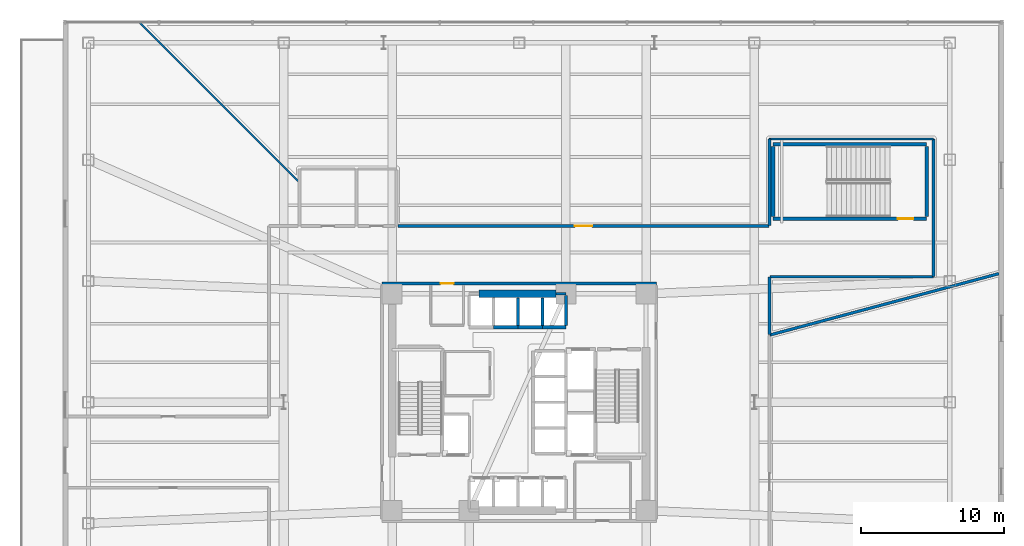
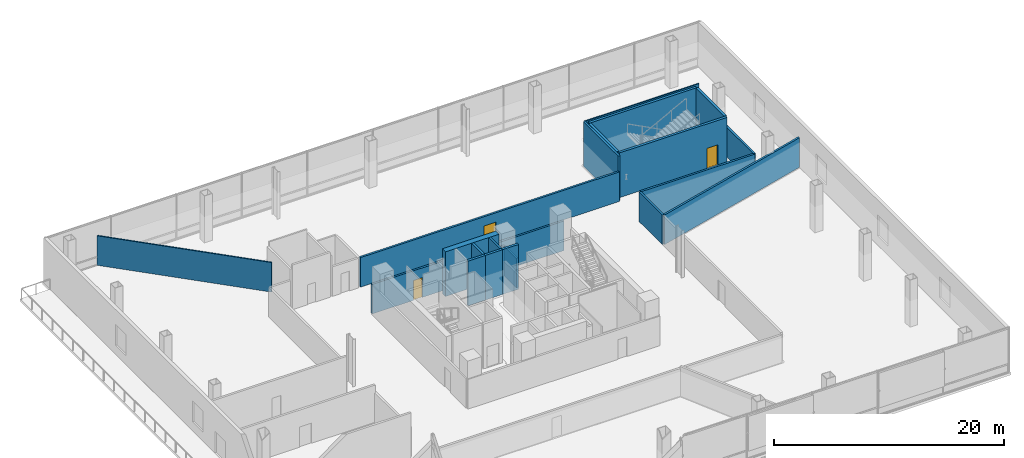
# One storey, part 12 of 20: 21 walls, 3 doors, 3 openings.
"""IFC4 building model written with IfcOpenShell, lengths in metres."""

import ifcopenshell
import ifcopenshell.guid

model = None  # the IFC model being written
_history = None  # IfcOwnerHistory: only IFC2X3 demands one
_inside = {}  # id of a spatial element -> (the spatial element, [elements in it])
_under = {}  # id of a project, library or spatial element -> (it, [spatial elements below it])
_declared = {}  # id of a project -> (the project, [libraries it declares])
_typed = {}  # id of a type object -> (the type object, [elements of that type])
_made_of = {}  # id of a material, layer set ... -> (it, [elements and type objects made of it])


def new_model(schema):
    """Start an empty IFC model of exactly this schema.

    Asked for "IFC4X3", IfcOpenShell would pick the latest addendum, in which some entities
    have other attributes; the version numbers below select the first issue.
    IFC2X3 requires an IfcOwnerHistory on every rooted entity: one is made here for all.
    """
    global model, _history
    if schema == "IFC4X3":
        model = ifcopenshell.file(schema_version=(4, 3, 0, 0))
    else:
        model = ifcopenshell.file(schema=schema)
    _inside.clear()
    _under.clear()
    _declared.clear()
    _typed.clear()
    _made_of.clear()
    _history = None
    if model.schema == "IFC2X3":
        org = make("IfcOrganization", Name="unknown")
        user = make(
            "IfcPersonAndOrganization",
            ThePerson=make("IfcPerson", FamilyName="unknown"),
            TheOrganization=org,
        )
        app = make(
            "IfcApplication",
            ApplicationDeveloper=org,
            Version="unknown",
            ApplicationFullName="unknown",
            ApplicationIdentifier="unknown",
        )
        _history = make(
            "IfcOwnerHistory",
            OwningUser=user,
            OwningApplication=app,
            ChangeAction="ADDED",
            CreationDate=0,
        )
    return model


def make(cls, **values):
    """One entity of the class cls with the attributes given. An attribute that is None is left unset."""
    return model.create_entity(
        cls, **{name: value for name, value in values.items() if value is not None}
    )


def rooted(cls, **values):
    """An entity with a GlobalId (a new one), such as an element, a storey or a relation."""
    return make(cls, GlobalId=ifcopenshell.guid.new(), OwnerHistory=_history, **values)


def si_unit(unit_type, name, prefix=None):
    """IfcSIUnit, for example si_unit("LENGTHUNIT", "METRE", prefix="MILLI")."""
    return make("IfcSIUnit", UnitType=unit_type, Prefix=prefix, Name=name)


def assignment(units):
    """IfcUnitAssignment: the units of a project."""
    return None if units is None else make("IfcUnitAssignment", Units=units)


def point(xyz):
    """IfcCartesianPoint."""
    return None if xyz is None else make("IfcCartesianPoint", Coordinates=xyz)


def direction(xyz):
    """IfcDirection."""
    return None if xyz is None else make("IfcDirection", DirectionRatios=xyz)


def frame(location, z_axis=None, x_axis=None):
    """IfcAxis2Placement3D, a coordinate frame: its origin and axes. An axis left out is left unset."""
    return make(
        "IfcAxis2Placement3D",
        Location=point(location),
        Axis=direction(z_axis),
        RefDirection=direction(x_axis),
    )


def frame_2d(location, x_axis=None):
    """IfcAxis2Placement2D, a coordinate frame in the plane: its origin and x axis."""
    return make(
        "IfcAxis2Placement2D", Location=point(location), RefDirection=direction(x_axis)
    )


def origin():
    """The frame at (0, 0, 0) with its axes left unset."""
    return frame((0.0, 0.0, 0.0))


def place(relative_to, where):
    """IfcLocalPlacement: puts the frame where relative to a parent placement (None: the world)."""
    return make(
        "IfcLocalPlacement", PlacementRelTo=relative_to, RelativePlacement=where
    )


def context(
    kind, dimensions, precision=None, world=None, true_north=None, identifier=None
):
    """IfcGeometricRepresentationContext, for example the 3D "Model" context."""
    return make(
        "IfcGeometricRepresentationContext",
        ContextIdentifier=identifier,
        ContextType=kind,
        CoordinateSpaceDimension=dimensions,
        Precision=precision,
        WorldCoordinateSystem=world,
        TrueNorth=true_north,
    )


def subcontext(parent, identifier, kind, view, scale=None):
    """IfcGeometricRepresentationSubContext, for example "Body" below "Model"."""
    return make(
        "IfcGeometricRepresentationSubContext",
        ContextIdentifier=identifier,
        ContextType=kind,
        ParentContext=parent,
        TargetScale=scale,
        TargetView=view,
    )


def project(units=None, contexts=None):
    """IfcProject with its units and contexts."""
    return rooted(
        "IfcProject",
        Name="project",
        RepresentationContexts=contexts,
        UnitsInContext=assignment(units),
    )


def spatial(cls, under=None, at=None, **own):
    """A site, building, storey or space (cls), placed at a placement, below another one or the project."""
    s = rooted(cls, ObjectPlacement=at, **own)
    if under is not None:
        _under.setdefault(under.id(), (under, []))[1].append(s)
    return s


def profile(cls, at=None, kind="AREA", **sizes):
    """A parametric profile (cls). Its sizes go by their IFC names, for example OverallWidth=200.0."""
    return make(cls, ProfileType=kind, Position=at, **sizes)


def rectangle(**sizes):
    """IfcRectangleProfileDef."""
    return profile("IfcRectangleProfileDef", **sizes)


def extrude(swept, where, along, depth):
    """IfcExtrudedAreaSolid: the profile swept, set in the frame where, extruded along a direction by depth."""
    return make(
        "IfcExtrudedAreaSolid",
        SweptArea=swept,
        Position=where,
        ExtrudedDirection=direction(along),
        Depth=depth,
    )


def shape(context_of_items, identifier, shape_type, items):
    """IfcShapeRepresentation: the items that make up one representation, for example the "Body"."""
    return make(
        "IfcShapeRepresentation",
        ContextOfItems=context_of_items,
        RepresentationIdentifier=identifier,
        RepresentationType=shape_type,
        Items=items,
    )


def material(Name=None, Category=None):
    """IfcMaterial."""
    return make("IfcMaterial", Name=Name, Category=Category)


def layer(
    of_material, thickness, ventilated=None, Name=None, Category=None, Priority=None
):
    """IfcMaterialLayer: one layer of a wall or slab, of a material (None: an air gap)."""
    return make(
        "IfcMaterialLayer",
        Material=of_material,
        LayerThickness=thickness,
        IsVentilated=ventilated,
        Name=Name,
        Category=Category,
        Priority=Priority,
    )


def layer_set(layers, Name=None):
    """IfcMaterialLayerSet."""
    return make("IfcMaterialLayerSet", MaterialLayers=layers, LayerSetName=Name)


def made_of(thing, what):
    """Note that an element or type object is made of a material, layer set ...; save() writes the relation."""
    if what is not None:
        _made_of.setdefault(what.id(), (what, []))[1].append(thing)
    return thing


def type_object(cls, material=None, **own):
    """A type object (cls), such as IfcWallType, which elements share."""
    return made_of(rooted(cls, **own), material)


def element(
    cls,
    number,
    at=None,
    inside=None,
    cuts=None,
    type_object=None,
    material=None,
    context=None,
    identifier="Body",
    shape_type=None,
    held_by="IfcProductDefinitionShape",
    body=None,
    shapes=None,
    **own,
):
    """One element of the class cls, such as IfcWall. Its Tag is "e" and its number.

    at: its placement. inside: the storey or other place that contains it. cuts: it is an
    opening in that element (IfcRelVoidsElement). A single representation is given by context,
    identifier, shape_type and body (its items); several are given by shapes. held_by: the class
    of the entity that holds the representations. save() writes the other relations.
    """
    e = rooted(cls, Tag="e%d" % number, ObjectPlacement=at, **own)
    if body is not None:
        shapes = [shape(context, identifier, shape_type, body)]
    if shapes is not None:
        e.Representation = make(held_by, Representations=shapes)
    if inside is not None:
        _inside.setdefault(inside.id(), (inside, []))[1].append(e)
    if cuts is not None:
        rooted(
            "IfcRelVoidsElement", RelatingBuildingElement=cuts, RelatedOpeningElement=e
        )
    if type_object is not None:
        _typed.setdefault(type_object.id(), (type_object, []))[1].append(e)
    return made_of(e, material)


def fill(opening, filler):
    """IfcRelFillsElement: the door or window that sits in an opening."""
    return rooted(
        "IfcRelFillsElement",
        RelatingOpeningElement=opening,
        RelatedBuildingElement=filler,
    )


def aggregate(whole, parts):
    """IfcRelAggregates: a whole, such as a stair, and the parts it consists of."""
    return rooted("IfcRelAggregates", RelatingObject=whole, RelatedObjects=parts)


def save(model, path):
    """Write the relations noted so far, then the file.

    IfcRelAggregates (storeys below a building ...), IfcRelContainedInSpatialStructure (elements
    in a storey), IfcRelDefinesByType, IfcRelAssociatesMaterial and IfcRelDeclares: one each for
    every whole, place, type object, material and project.
    """
    for whole, parts in _under.values():
        aggregate(whole, parts)
    for where, things in _inside.values():
        rooted(
            "IfcRelContainedInSpatialStructure",
            RelatedElements=things,
            RelatingStructure=where,
        )
    for kind, things in _typed.values():
        rooted("IfcRelDefinesByType", RelatedObjects=things, RelatingType=kind)
    for what, things in _made_of.values():
        rooted("IfcRelAssociatesMaterial", RelatedObjects=things, RelatingMaterial=what)
    for by, libraries in _declared.values():
        rooted("IfcRelDeclares", RelatingContext=by, RelatedDefinitions=libraries)
    model.write(path)


model = new_model("IFC4")

# Units and contexts
model_context = context("Model", 3, precision=1e-05, world=origin(), true_north=direction((0.0, 1.0)))
body_context = subcontext(model_context, "Body", "Model", "MODEL_VIEW")
ifc_project = project(units=[si_unit("LENGTHUNIT", "METRE"), si_unit("AREAUNIT", "SQUARE_METRE"), si_unit("VOLUMEUNIT", "CUBIC_METRE"), si_unit("PLANEANGLEUNIT", "RADIAN"), si_unit("MASSUNIT", "GRAM", prefix="KILO")], contexts=[model_context])

# Site, building, storey
site_placement = place(None, origin())
site = spatial("IfcSite", under=ifc_project, at=site_placement, CompositionType="ELEMENT")
building_placement = place(site_placement, origin())
building = spatial("IfcBuilding", under=site, at=building_placement, Name="Tharavind Bronze Gate", CompositionType="ELEMENT")
storey_placement = place(building_placement, frame((0.0, 0.0, 16.5)))
storey = spatial("IfcBuildingStorey", under=building, at=storey_placement, Name="L03", CompositionType="ELEMENT", Elevation=16.5)

# Wall, opening, door
ifc_material_1 = material(Name="Aerated Concrete Block", Category="concrete")
ifc_layer_1 = layer(ifc_material_1, 0.199951171875)
ifc_layer_set_1 = layer_set([ifc_layer_1], Name="Aerated Concrete Block")
wall_type_1 = type_object("IfcWallType", Name="FIRE RATED PARTITION 200", PredefinedType="PARTITIONING", material=ifc_layer_set_1)
wall_1_placement = place(storey_placement, frame((9.6201171875, 8.320068359375, 0.0), z_axis=(0.0, 0.0, 1.0), x_axis=(-1.0, 0.0, 0.0)))
wall_1 = element("IfcWall", 1, at=wall_1_placement, inside=storey, type_object=wall_type_1, Name="L03 north core corridor wall", PredefinedType="PARTITIONING", context=body_context, shape_type="SweptSolid", body=[
    extrude(rectangle(XDim=19.240234375, YDim=0.199951171875, at=frame_2d((9.6201171875, 0.0))), origin(), (0.0, 0.0, 1.0), 3.135009765625),
])
opening_1_placement = place(wall_1_placement, frame((14.219970703125, 0.0, 0.0)))
opening_1 = element("IfcOpeningElement", 2, at=opening_1_placement, cuts=wall_1, Name="Opening ID07", PredefinedType="OPENING", context=body_context, shape_type="SweptSolid", body=[
    extrude(rectangle(XDim=0.89990234375, YDim=2.10009765625, at=frame_2d((0.449951171875, 1.050048828125))), frame((0.0, 0.11009765625, 0.0), z_axis=(0.0, -1.0, 0.0), x_axis=(1.0, 0.0, 0.0)), (0.0, 0.0, 1.0), 0.219951171875),
])
ifc_material_2 = material(Name="Galvanised Fire Steel", Category="steel")
door_type_1 = type_object("IfcDoorType", Name="PLANT AND RISER FIRE DOOR 900X2100", OperationType="SINGLE_SWING_LEFT", PredefinedType="DOOR", material=ifc_material_2)
door_1_placement = place(opening_1_placement, origin())
door_1 = element("IfcDoor", 3, at=door_1_placement, inside=storey, type_object=door_type_1, Name="L03 Electrical Switch Cupboard fire door", OperationType="SINGLE_SWING_LEFT", OverallHeight=2.10009765625, OverallWidth=0.89990234375, PredefinedType="DOOR", context=body_context, shape_type="SweptSolid", body=[
    extrude(rectangle(XDim=0.89990234375, YDim=2.10009765625, at=frame_2d((0.449951171875, 1.050048828125))), frame((0.0, 0.02490234375, 0.0), z_axis=(0.0, -1.0, 0.0), x_axis=(1.0, 0.0, 0.0)), (0.0, 0.0, 1.0), 0.050048828125),
])
fill(opening_1, door_1)

# Walls
wall_2_placement = place(storey_placement, frame((33.639892578125, 9.013916015625, 0.0), z_axis=(0.0, 0.0, 1.0), x_axis=(-0.965923469749, -0.25882783967, 0.0)))
element("IfcWall", 4, at=wall_2_placement, inside=storey, type_object=wall_type_1, Name="L03 Grand Pillar-Free Ballroom partition", PredefinedType="PARTITIONING", context=body_context, shape_type="SweptSolid", body=[
    extrude(rectangle(XDim=16.624755859375, YDim=0.199951171875, at=frame_2d((8.3125, 0.0))), origin(), (0.0, 0.0, 1.0), 3.135009765625),
])
wall_3_placement = place(storey_placement, frame((17.550048828125, 4.735107421875, 0.0), z_axis=(0.0, 0.0, 1.0), x_axis=(0.0, 1.0, 0.0)))
element("IfcWall", 5, at=wall_3_placement, inside=storey, type_object=wall_type_1, Name="L03 Grand Pillar-Free Ballroom partition", PredefinedType="PARTITIONING", context=body_context, shape_type="SweptSolid", body=[
    extrude(rectangle(XDim=4.039794921875, YDim=0.199951171875, at=frame_2d((2.02001953125, 0.0))), origin(), (0.0, 0.0, 1.0), 3.135009765625),
])
wall_4_placement = place(storey_placement, frame((17.574951171875, 8.800048828125, 0.0), z_axis=(0.0, 0.0, 1.0), x_axis=(1.0, 0.0, 0.0)))
element("IfcWall", 6, at=wall_4_placement, inside=storey, type_object=wall_type_1, Name="L03 Grand Pillar-Free Ballroom partition", PredefinedType="PARTITIONING", context=body_context, shape_type="SweptSolid", body=[
    extrude(rectangle(XDim=11.474365234375, YDim=0.199951171875, at=frame_2d((5.7373046875, 0.0))), origin(), (0.0, 0.0, 1.0), 3.135009765625),
])
wall_5_placement = place(storey_placement, frame((29.050048828125, 8.800537109375, 0.0), z_axis=(0.0, 0.0, 1.0), x_axis=(0.0, 1.0, 0.0)))
element("IfcWall", 7, at=wall_5_placement, inside=storey, type_object=wall_type_1, Name="L03 Grand Pillar-Free Ballroom partition", PredefinedType="PARTITIONING", context=body_context, shape_type="SweptSolid", body=[
    extrude(rectangle(XDim=9.64892578125, YDim=0.199951171875, at=frame_2d((4.824462890625, 0.0))), origin(), (0.0, 0.0, 1.0), 3.135009765625),
])
wall_6_placement = place(storey_placement, frame((17.550048828125, 18.449462890625, 0.0), z_axis=(0.0, 0.0, 1.0), x_axis=(0.0, -1.0, 0.0)))
element("IfcWall", 8, at=wall_6_placement, inside=storey, type_object=wall_type_1, Name="L03 Grand Pillar-Free Ballroom partition", PredefinedType="PARTITIONING", context=body_context, shape_type="SweptSolid", body=[
    extrude(rectangle(XDim=6.074462890625, YDim=0.199951171875, at=frame_2d((3.037109375, 0.0))), origin(), (0.0, 0.0, 1.0), 4.739990234375),
])

# Wall, opening, door
wall_7_placement = place(storey_placement, frame((17.52490234375, 12.35009765625, 0.0), z_axis=(0.0, 0.0, 1.0), x_axis=(-1.0, 0.0, 0.0)))
wall_7 = element("IfcWall", 9, at=wall_7_placement, inside=storey, type_object=wall_type_1, Name="L03 Grand Pillar-Free Ballroom partition", PredefinedType="PARTITIONING", context=body_context, shape_type="SweptSolid", body=[
    extrude(rectangle(XDim=26.02001953125, YDim=0.199951171875, at=frame_2d((13.010009765625, 0.0))), origin(), (0.0, 0.0, 1.0), 3.135009765625),
])
opening_2_placement = place(wall_7_placement, frame((12.409912109375, 0.0, 0.0)))
opening_2 = element("IfcOpeningElement", 10, at=opening_2_placement, cuts=wall_7, Name="Opening ID05", PredefinedType="OPENING", context=body_context, shape_type="SweptSolid", body=[
    extrude(rectangle(XDim=1.199951171875, YDim=2.14990234375, at=frame_2d((0.60009765625, 1.074951171875))), frame((0.0, 0.11009765625, 0.0), z_axis=(0.0, -1.0, 0.0), x_axis=(1.0, 0.0, 0.0)), (0.0, 0.0, 1.0), 0.219951171875),
])
ifc_material_3 = material(Name="Acoustic Laminated Glass", Category="glass")
door_type_2 = type_object("IfcDoorType", Name="MEETING ROOM GLAZED DOOR 1200X2150", OperationType="SINGLE_SWING_LEFT", PredefinedType="DOOR", material=ifc_material_3)
door_2_placement = place(opening_2_placement, origin())
door_2 = element("IfcDoor", 11, at=door_2_placement, inside=storey, type_object=door_type_2, Name="L03 Grand Pillar-Free Ballroom door", OperationType="SINGLE_SWING_LEFT", OverallHeight=2.14990234375, OverallWidth=1.199951171875, PredefinedType="DOOR", context=body_context, shape_type="SweptSolid", body=[
    extrude(rectangle(XDim=1.199951171875, YDim=2.14990234375, at=frame_2d((0.60009765625, 1.074951171875))), frame((0.0, 0.02490234375, 0.0), z_axis=(0.0, -1.0, 0.0), x_axis=(1.0, 0.0, 0.0)), (0.0, 0.0, 1.0), 0.050048828125),
])
fill(opening_2, door_2)

# Walls
ifc_material_4 = material(Name="Metal Stud Gypsum Partition", Category="gypsum")
ifc_layer_2 = layer(ifc_material_4, 0.1201171875)
ifc_layer_set_2 = layer_set([ifc_layer_2], Name="Metal Stud Gypsum Partition")
wall_type_2 = type_object("IfcWallType", Name="INTERIOR PARTITION WALL 120", PredefinedType="PARTITIONING", material=ifc_layer_set_2)
wall_8_placement = place(storey_placement, frame((-15.5048828125, 15.5048828125, 0.0), z_axis=(0.0, 0.0, 1.0), x_axis=(-0.707106781187, 0.707106781187, 0.0)))
element("IfcWall", 12, at=wall_8_placement, inside=storey, type_object=wall_type_2, Name="L03 Grand Pillar-Free Ballroom partition", PredefinedType="PARTITIONING", context=body_context, shape_type="SweptSolid", body=[
    extrude(rectangle(XDim=15.71923828125, YDim=0.1201171875, at=frame_2d((7.859619140625, 0.0))), origin(), (0.0, 0.0, 1.0), 3.135009765625),
])
wall_9_placement = place(storey_placement, frame((29.04931640625, 18.449951171875, 0.0), z_axis=(0.0, 0.0, 1.0), x_axis=(-1.0, 0.0, 0.0)))
element("IfcWall", 13, at=wall_9_placement, inside=storey, type_object=wall_type_2, Name="L03 Grand Pillar-Free Ballroom partition", PredefinedType="PARTITIONING", context=body_context, shape_type="SweptSolid", body=[
    extrude(rectangle(XDim=11.498779296875, YDim=0.1201171875, at=frame_2d((5.74951171875, 0.0))), origin(), (0.0, 0.0, 1.0), 4.739990234375),
])

# Wall, opening, door
ifc_material_5 = material(Name="Concrete C50/60", Category="concrete")
ifc_layer_3 = layer(ifc_material_5, 0.25)
ifc_layer_set_3 = layer_set([ifc_layer_3], Name="Concrete C50/60")
wall_type_3 = type_object("IfcWallType", Name="RC CORE SHEAR WALL 250", PredefinedType="SHEAR", material=ifc_layer_set_3)
wall_10_placement = place(storey_placement, frame((17.800048828125, 12.8701171875, 0.0), z_axis=(0.0, 0.0, 1.0), x_axis=(1.0, 0.0, 0.0)))
wall_10 = element("IfcWall", 14, at=wall_10_placement, inside=storey, type_object=wall_type_3, Name="L03 ST4 south wall", PredefinedType="SHEAR", context=body_context, shape_type="SweptSolid", body=[
    extrude(rectangle(XDim=10.780029296875, YDim=0.25, at=frame_2d((5.39013671875, 0.0))), origin(), (0.0, 0.0, 1.0), 4.739990234375),
])
opening_3_placement = place(wall_10_placement, frame((8.75, 0.0, 0.0)))
opening_3 = element("IfcOpeningElement", 15, at=opening_3_placement, cuts=wall_10, Name="Opening ID01", PredefinedType="OPENING", context=body_context, shape_type="SweptSolid", body=[
    extrude(rectangle(XDim=1.10009765625, YDim=2.14990234375, at=frame_2d((0.550048828125, 1.074951171875))), frame((0.0, 0.135, 0.0), z_axis=(0.0, -1.0, 0.0), x_axis=(1.0, 0.0, 0.0)), (0.0, 0.0, 1.0), 0.27),
])
ifc_material_6 = material(Name="Fire-Rated Steel", Category="steel")
door_type_3 = type_object("IfcDoorType", Name="STAIR CORE FIRE DOOR 1100X2150", OperationType="SINGLE_SWING_LEFT", PredefinedType="DOOR", material=ifc_material_6)
door_3_placement = place(opening_3_placement, origin())
door_3 = element("IfcDoor", 16, at=door_3_placement, inside=storey, type_object=door_type_3, Name="L03 podium stair ST4 fire door", OperationType="SINGLE_SWING_LEFT", OverallHeight=2.14990234375, OverallWidth=1.10009765625, PredefinedType="DOOR", context=body_context, shape_type="SweptSolid", body=[
    extrude(rectangle(XDim=1.10009765625, YDim=2.14990234375, at=frame_2d((0.550048828125, 1.074951171875))), frame((0.0, 0.02490234375, 0.0), z_axis=(0.0, -1.0, 0.0), x_axis=(1.0, 0.0, 0.0)), (0.0, 0.0, 1.0), 0.050048828125),
])
fill(opening_3, door_3)

# Walls
wall_11_placement = place(storey_placement, frame((17.800048828125, 18.080078125, 0.0), z_axis=(0.0, 0.0, 1.0), x_axis=(1.0, 0.0, 0.0)))
element("IfcWall", 17, at=wall_11_placement, inside=storey, type_object=wall_type_3, Name="L03 ST4 north wall", PredefinedType="SHEAR", context=body_context, shape_type="SweptSolid", body=[
    extrude(rectangle(XDim=10.780029296875, YDim=0.25, at=frame_2d((5.39013671875, 0.0))), origin(), (0.0, 0.0, 1.0), 4.739990234375),
])
for number, where, z_axis, x_axis, name in (
    (18, (17.800048828125, 13.02001953125, 0.0), (0.0, 0.0, 1.0), (0.0, 1.0, 0.0), "L03 ST4 west wall"),
    (19, (28.580078125, 13.02001953125, 0.0), (0.0, 0.0, 1.0), (0.0, 1.0, 0.0), "L03 ST4 east wall"),
):
    element("IfcWall", number, at=place(storey_placement, frame(where, z_axis=z_axis, x_axis=x_axis)), inside=storey, type_object=wall_type_3, Name=name, PredefinedType="SHEAR", context=body_context, shape_type="SweptSolid", body=[
        extrude(rectangle(XDim=4.909912109375, YDim=0.25, at=frame_2d((2.455078125, 0.0))), origin(), (0.0, 0.0, 1.0), 4.739990234375),
    ])
wall_12_placement = place(storey_placement, frame((-1.78759765625, 5.25, 0.0), z_axis=(0.0, 0.0, 1.0), x_axis=(1.0, 0.0, 0.0)))
element("IfcWall", 20, at=wall_12_placement, inside=storey, type_object=wall_type_3, Name="L03 lift PL6 shaft front wall", PredefinedType="SHEAR", context=body_context, shape_type="SweptSolid", body=[
    extrude(rectangle(XDim=1.712646484375, YDim=0.25, at=frame_2d((0.8564453125, 0.0))), origin(), (0.0, 0.0, 1.0), 4.739990234375),
])
wall_13_placement = place(storey_placement, frame((-0.074951171875, 5.25, 0.0), z_axis=(0.0, 0.0, 1.0), x_axis=(1.0, 0.0, 0.0)))
element("IfcWall", 21, at=wall_13_placement, inside=storey, type_object=wall_type_3, Name="L03 lift PL7 shaft front wall", PredefinedType="SHEAR", context=body_context, shape_type="SweptSolid", body=[
    extrude(rectangle(XDim=1.71240234375, YDim=0.25, at=frame_2d((0.856201171875, 0.0))), origin(), (0.0, 0.0, 1.0), 4.739990234375),
])
wall_14_placement = place(storey_placement, frame((1.637451171875, 5.25, 0.0), z_axis=(0.0, 0.0, 1.0), x_axis=(1.0, 0.0, 0.0)))
element("IfcWall", 22, at=wall_14_placement, inside=storey, type_object=wall_type_3, Name="L03 lift PL8 shaft front wall", PredefinedType="SHEAR", context=body_context, shape_type="SweptSolid", body=[
    extrude(rectangle(XDim=1.642578125, YDim=0.25, at=frame_2d((0.8212890625, 0.0))), origin(), (0.0, 0.0, 1.0), 4.739990234375),
])
ifc_material_7 = material(Name="Concrete C60/75", Category="concrete")
ifc_layer_4 = layer(ifc_material_7, 0.550048828125)
ifc_layer_set_4 = layer_set([ifc_layer_4], Name="Concrete C60/75")
wall_type_4 = type_object("IfcWallType", Name="RC CORE SHEAR WALL 550", PredefinedType="SHEAR", material=ifc_layer_set_4)
wall_15_placement = place(storey_placement, frame((-2.800048828125, 7.60009765625, 0.0), z_axis=(0.0, 0.0, 1.0), x_axis=(1.0, 0.0, 0.0)))
element("IfcWall", 23, at=wall_15_placement, inside=storey, type_object=wall_type_4, Name="L03 north core shear wall", PredefinedType="SHEAR", context=body_context, shape_type="SweptSolid", body=[
    extrude(rectangle(XDim=5.380126953125, YDim=0.550048828125, at=frame_2d((2.68994140625, 0.0))), origin(), (0.0, 0.0, 1.0), 4.739990234375),
])
ifc_material_8 = material(Name="Concrete C40/50", Category="concrete")
ifc_layer_5 = layer(ifc_material_8, 0.199951171875)
ifc_layer_set_5 = layer_set([ifc_layer_5], Name="Concrete C40/50")
wall_type_5 = type_object("IfcWallType", Name="SHAFT ENCLOSURE WALL 200", PredefinedType="PARTITIONING", material=ifc_layer_set_5)
for number, where, z_axis, x_axis, name in (
    (24, (-0.074951171875, 5.3798828125, 0.0), (0.0, 0.0, 1.0), (0.0, 1.0, 0.0), "L03 lift PL6 shaft E enclosure wall"),
    (25, (1.637451171875, 5.3798828125, 0.0), (0.0, 0.0, 1.0), (0.0, 1.0, 0.0), "L03 lift PL7 shaft E enclosure wall"),
):
    element("IfcWall", number, at=place(storey_placement, frame(where, z_axis=z_axis, x_axis=x_axis)), inside=storey, type_object=wall_type_5, Name=name, PredefinedType="PARTITIONING", context=body_context, shape_type="SweptSolid", body=[
        extrude(rectangle(XDim=1.940185546875, YDim=0.199951171875, at=frame_2d((0.97021484375, 0.0))), origin(), (0.0, 0.0, 1.0), 4.739990234375),
    ])
wall_16_placement = place(storey_placement, frame((2.580078125, 7.60009765625, 0.0), z_axis=(0.0, 0.0, 1.0), x_axis=(1.0, 0.0, 0.0)))
element("IfcWall", 26, at=wall_16_placement, inside=storey, type_object=wall_type_5, Name="L03 lift PL8 shaft N enclosure wall", PredefinedType="PARTITIONING", context=body_context, shape_type="SweptSolid", body=[
    extrude(rectangle(XDim=0.699951171875, YDim=0.199951171875, at=frame_2d((0.35009765625, 0.0))), origin(), (0.0, 0.0, 1.0), 3.135009765625),
])
wall_17_placement = place(storey_placement, frame((3.280029296875, 5.3798828125, 0.0), z_axis=(0.0, 0.0, 1.0), x_axis=(0.0, 1.0, 0.0)))
element("IfcWall", 27, at=wall_17_placement, inside=storey, type_object=wall_type_5, Name="L03 lift PL8 shaft E enclosure wall", PredefinedType="PARTITIONING", context=body_context, shape_type="SweptSolid", body=[
    extrude(rectangle(XDim=2.115234375, YDim=0.199951171875, at=frame_2d((1.0576171875, 0.0))), origin(), (0.0, 0.0, 1.0), 3.135009765625),
])

save(model, "model.ifc")
